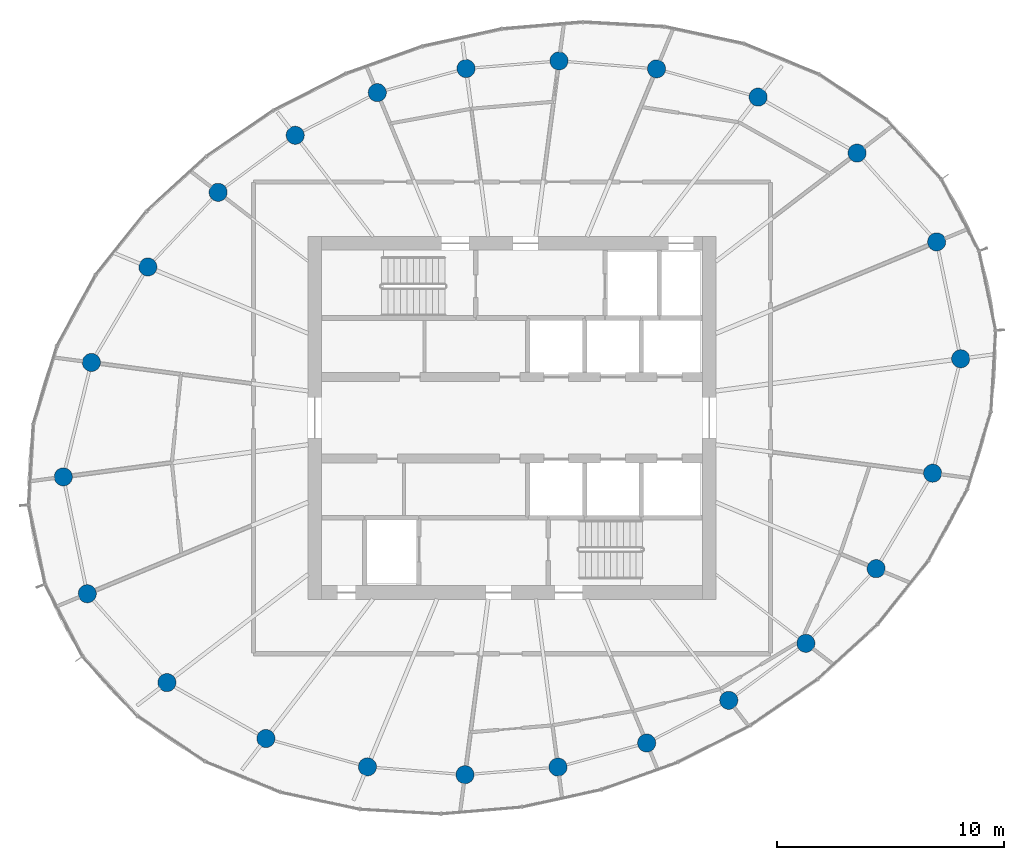
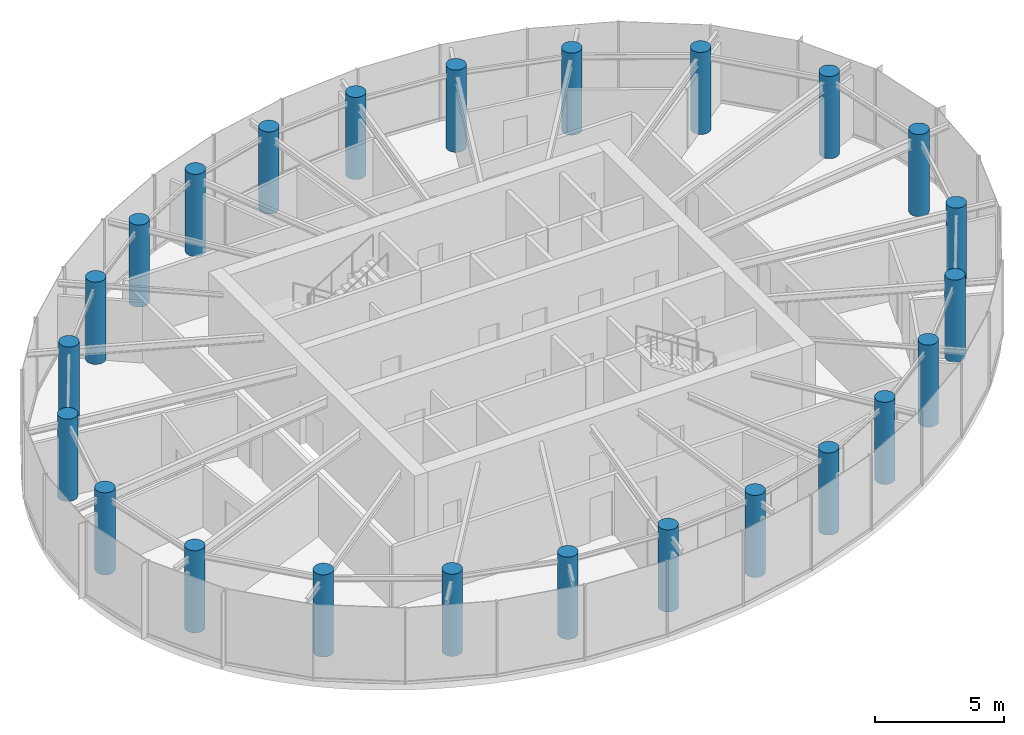
# One storey, part 1 of 13: 24 columns.
"""IFC4 building model written with IfcOpenShell, lengths in metres."""

from ifc_helpers import new_model, si_unit, direction, frame, origin, origin_2d, place, context, subcontext, project, spatial, circle, extrude, source, transform, mapped, material, material_profile, profile_set, type_object, element, save


model = new_model("IFC4")

# Units and contexts
model_context = context("Model", 3, precision=1e-05, world=origin(), true_north=direction((0.0, 1.0)))
body_context = subcontext(model_context, "Body", "Model", "MODEL_VIEW")
ifc_project = project(units=[si_unit("LENGTHUNIT", "METRE"), si_unit("AREAUNIT", "SQUARE_METRE"), si_unit("VOLUMEUNIT", "CUBIC_METRE"), si_unit("PLANEANGLEUNIT", "RADIAN"), si_unit("MASSUNIT", "GRAM", prefix="KILO")], contexts=[model_context])

# Site, building, storey
site_placement = place(None, origin())
site = spatial("IfcSite", under=ifc_project, at=site_placement, CompositionType="ELEMENT")
building_placement = place(site_placement, origin())
building = spatial("IfcBuilding", under=site, at=building_placement, Name="Spindrift Exchange Tower", CompositionType="ELEMENT")
storey_placement = place(building_placement, frame((0.0, 0.0, 246.199951171875)))
storey = spatial("IfcBuildingStorey", under=building, at=storey_placement, Name="L60", CompositionType="ELEMENT", Elevation=246.199951171875)

# Columns
ifc_material = material(Name="Concrete 40 MPa", Category="concrete")
ifc_material_profile = material_profile(ifc_material, circle(Radius=0.39990234375, at=origin_2d()), Name="RC D800")
ifc_profile_set = profile_set([ifc_material_profile], Name="Concrete 40 MPa")
column_type = type_object("IfcColumnType", Name="RC Perimeter Column D800 Concrete 40 MPa", PredefinedType="COLUMN", material=ifc_profile_set)
shared_shape = source(origin(), body_context, "Body", "SweptSolid", [
    extrude(circle(Radius=0.39990234375, at=origin_2d()), origin(), (0.0, 0.0, 1.0), 3.900146484375),
])
for number, where, z_axis, x_axis, name in (
    (1, (71.77734375, 50.603759765625, 0.0), (0.0, 0.0, 1.0), (1.0, 0.0, 0.0), "Perimeter column P5-01 L60"),
    (2, (70.719482421875, 55.75390625, 0.0), (0.0, 0.0, 1.0), (1.0, 0.0, 0.0), "Perimeter column P5-02 L60"),
    (3, (67.20947265625, 59.670654296875, 0.0), (0.0, 0.0, 1.0), (1.0, 0.0, 0.0), "Perimeter column P5-03 L60"),
    (4, (62.846923828125, 62.135986328125, 0.0), (0.0, 0.0, 1.0), (1.0, 0.0, 0.0), "Perimeter column P5-04 L60"),
    (5, (58.37158203125, 63.382568359375, 0.0), (0.0, 0.0, 1.0), (1.0, 0.0, 0.0), "Perimeter column P5-05 L60"),
    (6, (54.071044921875, 63.731201171875, 0.0), (0.0, 0.0, 1.0), (1.0, 0.0, 0.0), "Perimeter column P5-06 L60"),
    (7, (49.97314453125, 63.39599609375, 0.0), (0.0, 0.0, 1.0), (1.0, 0.0, 0.0), "Perimeter column P5-07 L60"),
    (8, (46.062744140625, 62.333984375, 0.0), (0.0, 0.0, 1.0), (1.0, 0.0, 0.0), "Perimeter column P5-08 L60"),
    (9, (42.4443359375, 60.453369140625, 0.0), (0.0, 0.0, 1.0), (1.0, 0.0, 0.0), "Perimeter column P5-09 L60"),
    (10, (39.046875, 57.939208984375, 0.0), (0.0, 0.0, 1.0), (1.0, 0.0, 0.0), "Perimeter column P5-10 L60"),
    (11, (35.948486328125, 54.648681640625, 0.0), (0.0, 0.0, 1.0), (1.0, 0.0, 0.0), "Perimeter column P5-11 L60"),
    (12, (33.4599609375, 50.44091796875, 0.0), (0.0, 0.0, 1.0), (1.0, 0.0, 0.0), "Perimeter column P5-12 L60"),
    (13, (32.22265625, 45.396240234375, 0.0), (0.0, 0.0, 1.0), (1.0, 0.0, 0.0), "Perimeter column P5-13 L60"),
    (14, (33.280517578125, 40.24609375, 0.0), (0.0, 0.0, 1.0), (1.0, 0.0, 0.0), "Perimeter column P5-14 L60"),
    (15, (36.79052734375, 36.329345703125, 0.0), (0.0, 0.0, 1.0), (1.0, 0.0, 0.0), "Perimeter column P5-15 L60"),
    (16, (41.153076171875, 33.864013671875, 0.0), (0.0, 0.0, 1.0), (1.0, 0.0, 0.0), "Perimeter column P5-16 L60"),
    (17, (45.62841796875, 32.617431640625, 0.0), (0.0, 0.0, 1.0), (1.0, 0.0, 0.0), "Perimeter column P5-17 L60"),
    (18, (49.928955078125, 32.268798828125, 0.0), (0.0, 0.0, 1.0), (1.0, 0.0, 0.0), "Perimeter column P5-18 L60"),
    (19, (54.02685546875, 32.60400390625, 0.0), (0.0, 0.0, 1.0), (1.0, 0.0, 0.0), "Perimeter column P5-19 L60"),
    (20, (57.937255859375, 33.666015625, 0.0), (0.0, 0.0, 1.0), (1.0, 0.0, 0.0), "Perimeter column P5-20 L60"),
    (21, (61.5556640625, 35.546630859375, 0.0), (0.0, 0.0, 1.0), (1.0, 0.0, 0.0), "Perimeter column P5-21 L60"),
    (22, (64.953125, 38.060791015625, 0.0), (0.0, 0.0, 1.0), (1.0, 0.0, 0.0), "Perimeter column P5-22 L60"),
    (23, (68.051513671875, 41.351318359375, 0.0), (0.0, 0.0, 1.0), (1.0, 0.0, 0.0), "Perimeter column P5-23 L60"),
    (24, (70.5400390625, 45.55908203125, 0.0), (0.0, 0.0, 1.0), (1.0, 0.0, 0.0), "Perimeter column P5-24 L60"),
):
    element("IfcColumn", number, at=place(storey_placement, frame(where, z_axis=z_axis, x_axis=x_axis)), inside=storey, type_object=column_type, Name=name, PredefinedType="COLUMN", context=body_context, shape_type="MappedRepresentation", body=[
        mapped(shared_shape, transform((0.0, 0.0, 0.0), scale=1.0)),
    ])

save(model, "model.ifc")
